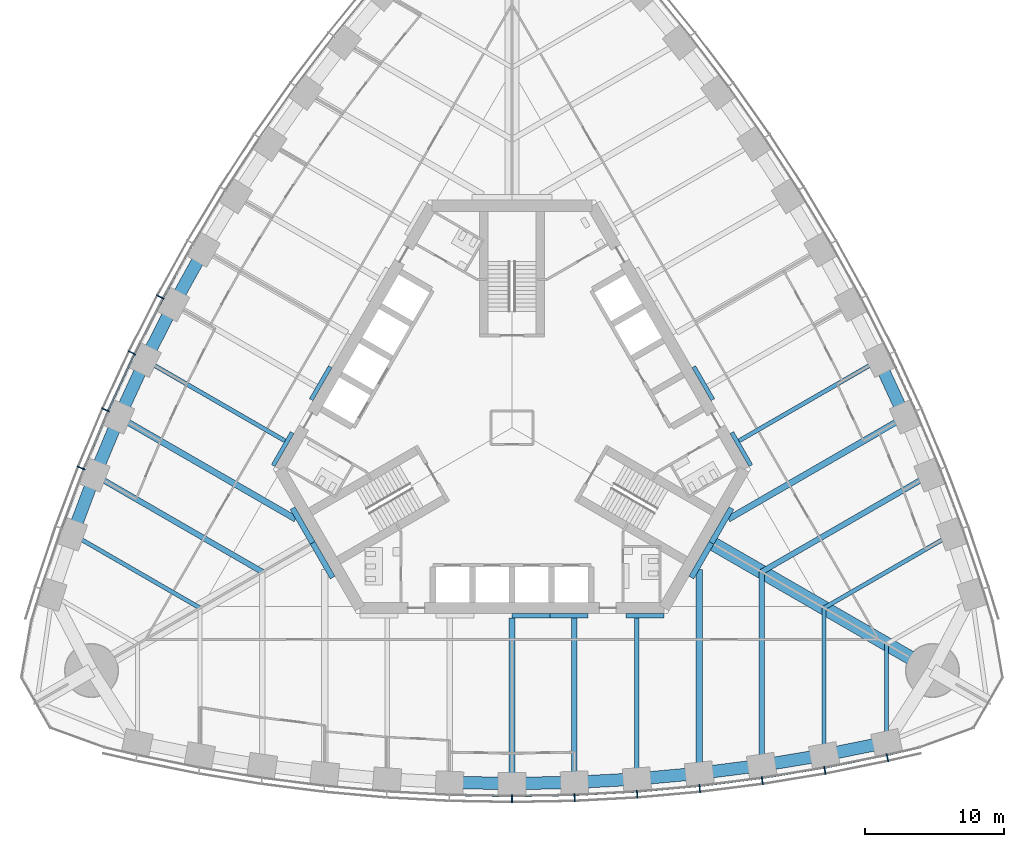
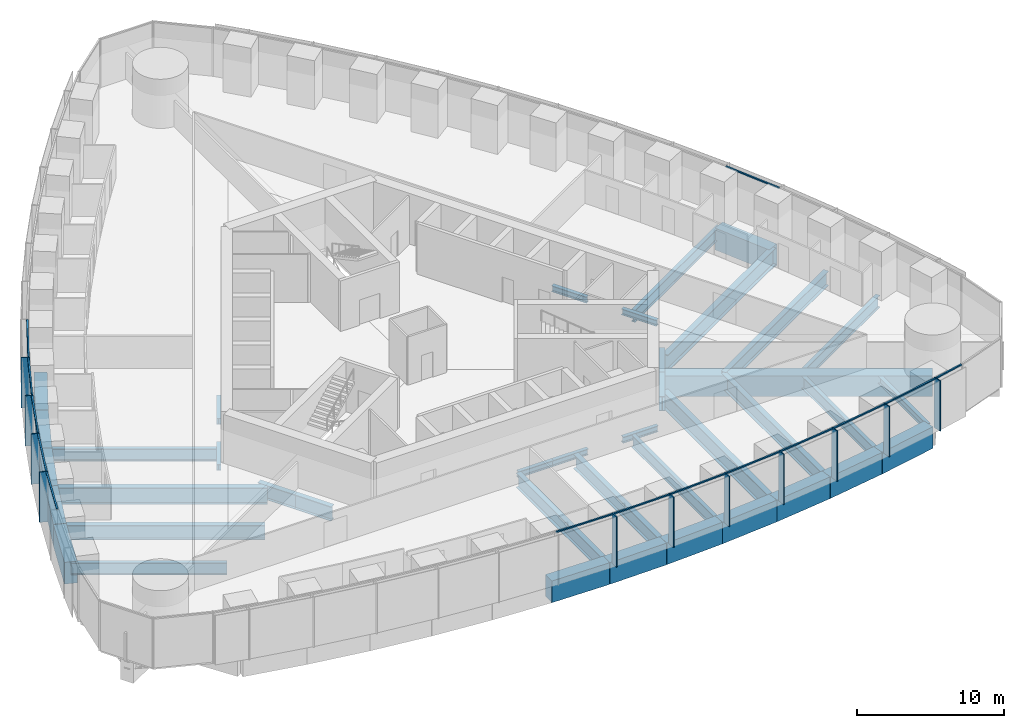
# One storey, part 3 of 18: 40 beams, 25 members, 3 elements without a shape of their own.
"""IFC4 building model written with IfcOpenShell, lengths in metres."""

from ifc_helpers import new_model, si_unit, direction, frame, origin, origin_2d, place, context, subcontext, project, spatial, rectangle, i_section, extrude, material, material_profile, profile_set, type_object, element, aggregate, save


model = new_model("IFC4")

# Units and contexts
model_context = context("Model", 3, precision=1e-05, world=origin(), true_north=direction((0.0, 1.0)))
body_context = subcontext(model_context, "Body", "Model", "MODEL_VIEW")
ifc_project = project(units=[si_unit("LENGTHUNIT", "METRE"), si_unit("AREAUNIT", "SQUARE_METRE"), si_unit("VOLUMEUNIT", "CUBIC_METRE"), si_unit("PLANEANGLEUNIT", "RADIAN"), si_unit("MASSUNIT", "GRAM", prefix="KILO")], contexts=[model_context])

# Site, building, storey
site_placement = place(None, origin())
site = spatial("IfcSite", under=ifc_project, at=site_placement, CompositionType="ELEMENT")
building_placement = place(site_placement, origin())
building = spatial("IfcBuilding", under=site, at=building_placement, Name="Trefoil Bronze Tower", CompositionType="ELEMENT")
storey_placement = place(building_placement, frame((0.0, 0.0, 161.89990234375)))
storey = spatial("IfcBuildingStorey", under=building, at=storey_placement, Name="L37", CompositionType="ELEMENT", Elevation=161.89990234375)

# Curtain wall, members
ifc_material_1 = material(Name="Tinted solar-control glass", Category="glass")
curtain_wall_type = type_object("IfcCurtainWallType", Name="Bronze office curtain wall", PredefinedType="USERDEFINED", material=ifc_material_1)
curtain_wall_1_placement = place(storey_placement, origin())
curtain_wall_1 = element("IfcCurtainWall", 1, at=curtain_wall_1_placement, inside=storey, type_object=curtain_wall_type, Name="CW-A L37 F1", ObjectType="CURTAIN WALL", PredefinedType="USERDEFINED")
ifc_material_2 = material(Name="Bronze-finish aluminium", Category="aluminium")
ifc_material_profile_1 = material_profile(ifc_material_2, rectangle(XDim=0.60009765625, YDim=0.080078125, at=origin_2d()), Name="CW-A mullion")
ifc_profile_set_1 = profile_set([ifc_material_profile_1], Name="Bronze-finish aluminium")
member_type_1 = type_object("IfcMemberType", Name="Bronze office curtain wall mullion", PredefinedType="MULLION", material=ifc_profile_set_1)
member_1_placement = place(storey_placement, frame((0.0, -26.749755859375, 0.0), z_axis=(0.0, 0.0, 1.0), x_axis=(0.0, 1.0, 0.0)))
member_1 = element("IfcMember", 2, at=member_1_placement, type_object=member_type_1, Name="CW-A L37 F1 mullion 8", PredefinedType="MULLION", context=body_context, shape_type="SweptSolid", body=[
    extrude(rectangle(XDim=0.60009765625, YDim=0.080078125, at=origin_2d()), origin(), (0.0, 0.0, 1.0), 4.18017578125),
])
member_2_placement = place(storey_placement, frame((4.5107421875, -26.66845703125, 0.0), z_axis=(0.0, 0.0, 1.0), x_axis=(-0.036047792107, 0.999350067136, 0.0)))
member_2 = element("IfcMember", 3, at=member_2_placement, type_object=member_type_1, Name="CW-A L37 F1 mullion 9", PredefinedType="MULLION", context=body_context, shape_type="SweptSolid", body=[
    extrude(rectangle(XDim=0.60009765625, YDim=0.080078125, at=origin_2d()), origin(), (0.0, 0.0, 1.0), 4.18017578125),
])
member_3_placement = place(storey_placement, frame((9.021728515625, -26.424072265625, 0.0), z_axis=(0.0, 0.0, 1.0), x_axis=(-0.072095676284, 0.997397720802, 0.0)))
member_3 = element("IfcMember", 4, at=member_3_placement, type_object=member_type_1, Name="CW-A L37 F1 mullion 10", PredefinedType="MULLION", context=body_context, shape_type="SweptSolid", body=[
    extrude(rectangle(XDim=0.60009765625, YDim=0.080078125, at=origin_2d()), origin(), (0.0, 0.0, 1.0), 4.18017578125),
])
member_4_placement = place(storey_placement, frame((13.532470703125, -26.01611328125, 0.0), z_axis=(0.0, 0.0, 1.0), x_axis=(-0.108143747013, 0.994135267447, 0.0)))
member_4 = element("IfcMember", 5, at=member_4_placement, type_object=member_type_1, Name="CW-A L37 F1 mullion 11", PredefinedType="MULLION", context=body_context, shape_type="SweptSolid", body=[
    extrude(rectangle(XDim=0.60009765625, YDim=0.080078125, at=origin_2d()), origin(), (0.0, 0.0, 1.0), 4.18017578125),
])
member_5_placement = place(storey_placement, frame((18.043212890625, -25.4423828125, 0.0), z_axis=(0.0, 0.0, 1.0), x_axis=(-0.144192103798, 0.989549714366, 0.0)))
member_5 = element("IfcMember", 6, at=member_5_placement, type_object=member_type_1, Name="CW-A L37 F1 mullion 12", PredefinedType="MULLION", context=body_context, shape_type="SweptSolid", body=[
    extrude(rectangle(XDim=0.60009765625, YDim=0.080078125, at=origin_2d()), origin(), (0.0, 0.0, 1.0), 4.18017578125),
])
member_6_placement = place(storey_placement, frame((22.553955078125, -24.700927734375, 0.0), z_axis=(0.0, 0.0, 1.0), x_axis=(-0.180240853954, 0.98362250613, 0.0)))
member_6 = element("IfcMember", 7, at=member_6_placement, type_object=member_type_1, Name="CW-A L37 F1 mullion 13", PredefinedType="MULLION", context=body_context, shape_type="SweptSolid", body=[
    extrude(rectangle(XDim=0.60009765625, YDim=0.080078125, at=origin_2d()), origin(), (0.0, 0.0, 1.0), 4.18017578125),
])
member_7_placement = place(storey_placement, frame((27.0634765625, -23.7890625, 0.0), z_axis=(0.0, 0.0, 1.0), x_axis=(-0.21197042503, 0.977276081214, 0.0)))
member_7 = element("IfcMember", 8, at=member_7_placement, type_object=member_type_1, Name="CW-A L37 F1 mullion 14", PredefinedType="MULLION", context=body_context, shape_type="SweptSolid", body=[
    extrude(rectangle(XDim=0.60009765625, YDim=0.080078125, at=origin_2d()), origin(), (0.0, 0.0, 1.0), 4.18017578125),
])

curtain_wall_2_placement = place(storey_placement, origin())
curtain_wall_2 = element("IfcCurtainWall", 9, at=curtain_wall_2_placement, inside=storey, type_object=curtain_wall_type, Name="CW-A L37 F3", ObjectType="CURTAIN WALL", PredefinedType="USERDEFINED")
member_8_placement = place(storey_placement, frame((-25.350830078125, 9.427734375, 0.0), z_axis=(0.0, 0.0, 1.0), x_axis=(0.883486441467, -0.468456729853, 0.0)))
member_8 = element("IfcMember", 10, at=member_8_placement, type_object=member_type_1, Name="CW-A L37 F3 mullion 9", PredefinedType="MULLION", context=body_context, shape_type="SweptSolid", body=[
    extrude(rectangle(XDim=0.60009765625, YDim=0.080078125, at=origin_2d()), origin(), (0.0, 0.0, 1.0), 4.18017578125),
])
member_9_placement = place(storey_placement, frame((-27.394775390625, 5.399169921875, 0.0), z_axis=(0.0, 0.0, 1.0), x_axis=(0.899819602033, -0.436262173236, 0.0)))
member_9 = element("IfcMember", 11, at=member_9_placement, type_object=member_type_1, Name="CW-A L37 F3 mullion 10", PredefinedType="MULLION", context=body_context, shape_type="SweptSolid", body=[
    extrude(rectangle(XDim=0.60009765625, YDim=0.080078125, at=origin_2d()), origin(), (0.0, 0.0, 1.0), 4.18017578125),
])
member_10_placement = place(storey_placement, frame((-29.296875, 1.28857421875, 0.0), z_axis=(0.0, 0.0, 1.0), x_axis=(0.915018269914, -0.40341240155, 0.0)))
member_10 = element("IfcMember", 12, at=member_10_placement, type_object=member_type_1, Name="CW-A L37 F3 mullion 11", PredefinedType="MULLION", context=body_context, shape_type="SweptSolid", body=[
    extrude(rectangle(XDim=0.60009765625, YDim=0.080078125, at=origin_2d()), origin(), (0.0, 0.0, 1.0), 4.18017578125),
])
member_11_placement = place(storey_placement, frame((-31.055419921875, -2.90478515625, 0.0), z_axis=(0.0, 0.0, 1.0), x_axis=(0.929071242848, -0.369900832269, 0.0)))
member_11 = element("IfcMember", 13, at=member_11_placement, type_object=member_type_1, Name="CW-A L37 F3 mullion 12", PredefinedType="MULLION", context=body_context, shape_type="SweptSolid", body=[
    extrude(rectangle(XDim=0.60009765625, YDim=0.080078125, at=origin_2d()), origin(), (0.0, 0.0, 1.0), 4.18017578125),
])

# Member
ifc_material_3 = material(Name="Bronze-finish aluminium", Category="aluminium")
ifc_material_profile_2 = material_profile(ifc_material_3, rectangle(XDim=0.1201171875, YDim=0.10009765625, at=origin_2d()), Name="CW-A transom")
ifc_profile_set_2 = profile_set([ifc_material_profile_2], Name="Bronze-finish aluminium")
member_type_2 = type_object("IfcMemberType", Name="Bronze office curtain wall transom", PredefinedType="USERDEFINED", material=ifc_profile_set_2)
member_12_placement = place(storey_placement, frame((-4.4619140625, -26.46923828125, 4.130126953125), z_axis=(0.999837930028, -0.018003157426, 0.0), x_axis=(0.018003157426, 0.999837930028, 0.0)))
member_12 = element("IfcMember", 14, at=member_12_placement, type_object=member_type_2, Name="CW-A L37 F1 transom 7", ObjectType="TRANSOM", PredefinedType="USERDEFINED", context=body_context, shape_type="SweptSolid", body=[
    extrude(rectangle(XDim=0.1201171875, YDim=0.10009765625, at=origin_2d()), origin(), (0.0, 0.0, 1.0), 4.4208984375),
])

member_13_placement = place(storey_placement, frame((0.041748046875, -26.548828125, 4.130126953125), z_axis=(0.999837930028, 0.018003157426, 0.0), x_axis=(-0.018003157426, 0.999837930028, 0.0)))
member_13 = element("IfcMember", 15, at=member_13_placement, type_object=member_type_2, Name="CW-A L37 F1 transom 8", ObjectType="TRANSOM", PredefinedType="USERDEFINED", context=body_context, shape_type="SweptSolid", body=[
    extrude(rectangle(XDim=0.1201171875, YDim=0.10009765625, at=origin_2d()), origin(), (0.0, 0.0, 1.0), 4.4208984375),
])

member_14_placement = place(storey_placement, frame((4.54541015625, -26.46630859375, 4.130126953125), z_axis=(0.998538253569, 0.054049571306, 0.0), x_axis=(-0.054049571306, 0.998538253569, 0.0)))
member_14 = element("IfcMember", 16, at=member_14_placement, type_object=member_type_2, Name="CW-A L37 F1 transom 9", ObjectType="TRANSOM", PredefinedType="USERDEFINED", context=body_context, shape_type="SweptSolid", body=[
    extrude(rectangle(XDim=0.1201171875, YDim=0.10009765625, at=origin_2d()), origin(), (0.0, 0.0, 1.0), 4.4267578125),
])

member_15_placement = place(storey_placement, frame((9.048828125, -26.220947265625, 4.130126953125), z_axis=(0.995932787062, 0.090099298863, 0.0), x_axis=(-0.090099298863, 0.995932787062, 0.0)))
member_15 = element("IfcMember", 17, at=member_15_placement, type_object=member_type_2, Name="CW-A L37 F1 transom 10", ObjectType="TRANSOM", PredefinedType="USERDEFINED", context=body_context, shape_type="SweptSolid", body=[
    extrude(rectangle(XDim=0.1201171875, YDim=0.10009765625, at=origin_2d()), origin(), (0.0, 0.0, 1.0), 4.4384765625),
])

member_16_placement = place(storey_placement, frame((13.55224609375, -25.81201171875, 4.130126953125), z_axis=(0.992008387848, 0.12617193998, 0.0), x_axis=(-0.12617193998, 0.992008387848, 0.0)))
member_16 = element("IfcMember", 18, at=member_16_placement, type_object=member_type_2, Name="CW-A L37 F1 transom 11", ObjectType="TRANSOM", PredefinedType="USERDEFINED", context=body_context, shape_type="SweptSolid", body=[
    extrude(rectangle(XDim=0.1201171875, YDim=0.10009765625, at=origin_2d()), origin(), (0.0, 0.0, 1.0), 4.456298828125),
])

member_17_placement = place(storey_placement, frame((18.0556640625, -25.23779296875, 4.130126953125), z_axis=(0.986755265284, 0.162216048636, 0.0), x_axis=(-0.162216048636, 0.986755265284, 0.0)))
member_17 = element("IfcMember", 19, at=member_17_placement, type_object=member_type_2, Name="CW-A L37 F1 transom 12", ObjectType="TRANSOM", PredefinedType="USERDEFINED", context=body_context, shape_type="SweptSolid", body=[
    extrude(rectangle(XDim=0.1201171875, YDim=0.10009765625, at=origin_2d()), origin(), (0.0, 0.0, 1.0), 4.48046875),
])

member_18_placement = place(storey_placement, frame((22.55908203125, -24.49609375, 4.130126953125), z_axis=(0.980153749225, 0.198238815273, 0.0), x_axis=(-0.198238815273, 0.980153749225, 0.0)))
member_18 = element("IfcMember", 20, at=member_18_placement, type_object=member_type_2, Name="CW-A L37 F1 transom 13", ObjectType="TRANSOM", PredefinedType="USERDEFINED", context=body_context, shape_type="SweptSolid", body=[
    extrude(rectangle(XDim=0.1201171875, YDim=0.10009765625, at=origin_2d()), origin(), (0.0, 0.0, 1.0), 4.51123046875),
])

member_19_placement = place(storey_placement, frame((27.0615234375, -23.584228515625, 4.130126953125), z_axis=(0.974206243495, 0.225659467196, 0.0), x_axis=(-0.225659467196, 0.974206243495, 0.0)))
member_19 = element("IfcMember", 21, at=member_19_placement, type_object=member_type_2, Name="CW-A L37 F1 transom 14", ObjectType="TRANSOM", PredefinedType="USERDEFINED", context=body_context, shape_type="SweptSolid", body=[
    extrude(rectangle(XDim=0.1201171875, YDim=0.10009765625, at=origin_2d()), origin(), (0.0, 0.0, 1.0), 2.340087890625),
])

aggregate(curtain_wall_1, [member_1, member_2, member_3, member_4, member_5, member_6, member_7, member_12, member_13, member_14, member_15, member_16, member_17, member_18, member_19])

# Curtain wall, member
curtain_wall_3_placement = place(storey_placement, origin())
curtain_wall_3 = element("IfcCurtainWall", 22, at=curtain_wall_3_placement, inside=storey, type_object=curtain_wall_type, Name="CW-A L37 F2", ObjectType="CURTAIN WALL", PredefinedType="USERDEFINED")
member_20_placement = place(storey_placement, frame((29.09619140625, 1.245849609375, 4.130126953125), z_axis=(-0.419923072198, 0.907559702409, 0.0), x_axis=(-0.907559702409, -0.419923072198, 0.0)))
member_20 = element("IfcMember", 23, at=member_20_placement, type_object=member_type_2, Name="CW-A L37 F2 transom 5", ObjectType="TRANSOM", PredefinedType="USERDEFINED", context=body_context, shape_type="SweptSolid", body=[
    extrude(rectangle(XDim=0.1201171875, YDim=0.10009765625, at=origin_2d()), origin(), (0.0, 0.0, 1.0), 4.4384765625),
])
aggregate(curtain_wall_3, [member_20])

# Member
member_21_placement = place(storey_placement, frame((-23.012939453125, 13.23828125, 4.130126953125), z_axis=(-0.484329470343, -0.874885686337, 0.0), x_axis=(0.874885686337, -0.484329470343, 0.0)))
member_21 = element("IfcMember", 24, at=member_21_placement, type_object=member_type_2, Name="CW-A L37 F3 transom 8", ObjectType="TRANSOM", PredefinedType="USERDEFINED", context=body_context, shape_type="SweptSolid", body=[
    extrude(rectangle(XDim=0.1201171875, YDim=0.10009765625, at=origin_2d()), origin(), (0.0, 0.0, 1.0), 4.4208984375),
])

member_22_placement = place(storey_placement, frame((-25.193115234375, 9.296630859375, 4.130126953125), z_axis=(-0.452478489814, -0.891775317138, 0.0), x_axis=(0.891775317138, -0.452478489814, 0.0)))
member_22 = element("IfcMember", 25, at=member_22_placement, type_object=member_type_2, Name="CW-A L37 F3 transom 9", ObjectType="TRANSOM", PredefinedType="USERDEFINED", context=body_context, shape_type="SweptSolid", body=[
    extrude(rectangle(XDim=0.1201171875, YDim=0.10009765625, at=origin_2d()), origin(), (0.0, 0.0, 1.0), 4.426513671875),
])

member_23_placement = place(storey_placement, frame((-27.232421875, 5.27392578125, 4.130126953125), z_axis=(-0.419923072198, -0.907559702409, 0.0), x_axis=(0.907559702409, -0.419923072198, 0.0)))
member_23 = element("IfcMember", 26, at=member_23_placement, type_object=member_type_2, Name="CW-A L37 F3 transom 10", ObjectType="TRANSOM", PredefinedType="USERDEFINED", context=body_context, shape_type="SweptSolid", body=[
    extrude(rectangle(XDim=0.1201171875, YDim=0.10009765625, at=origin_2d()), origin(), (0.0, 0.0, 1.0), 4.4384765625),
])

member_24_placement = place(storey_placement, frame((-29.1298828125, 1.16943359375, 4.130126953125), z_axis=(-0.386773266184, -0.922174842731, 0.0), x_axis=(0.922174842731, -0.386773266184, 0.0)))
member_24 = element("IfcMember", 27, at=member_24_placement, type_object=member_type_2, Name="CW-A L37 F3 transom 11", ObjectType="TRANSOM", PredefinedType="USERDEFINED", context=body_context, shape_type="SweptSolid", body=[
    extrude(rectangle(XDim=0.1201171875, YDim=0.10009765625, at=origin_2d()), origin(), (0.0, 0.0, 1.0), 4.45654296875),
])

member_25_placement = place(storey_placement, frame((-30.88427734375, -3.017822265625, 4.130126953125), z_axis=(-0.352932154759, -0.935648916067, 0.0), x_axis=(0.935648916067, -0.352932154759, 0.0)))
member_25 = element("IfcMember", 28, at=member_25_placement, type_object=member_type_2, Name="CW-A L37 F3 transom 12", ObjectType="TRANSOM", PredefinedType="USERDEFINED", context=body_context, shape_type="SweptSolid", body=[
    extrude(rectangle(XDim=0.1201171875, YDim=0.10009765625, at=origin_2d()), origin(), (0.0, 0.0, 1.0), 4.48046875),
])

aggregate(curtain_wall_2, [member_8, member_9, member_10, member_11, member_21, member_22, member_23, member_24, member_25])

# Beams
ifc_material_4 = material(Name="Steel C355", Category="steel")
ifc_material_profile_3 = material_profile(ifc_material_4, i_section(OverallWidth=0.300048828125, OverallDepth=0.5, WebThickness=0.014404296875, FlangeThickness=0.028076171875, FilletRadius=0.027099609375, at=origin_2d()), Name="HEB 500")
ifc_profile_set_3 = profile_set([ifc_material_profile_3], Name="Steel C355")
beam_type_1 = type_object("IfcBeamType", Name="Core seat beam HEB 500", PredefinedType="BEAM", material=ifc_profile_set_3)
for number, where, z_axis, x_axis, name in (
    (29, (0.0, -13.550048828125, -0.449951171875), (1.0, 0.0, 0.0), (0.0, 1.0, 0.0), "Core seat beam F1/+0 L37"),
    (30, (2.742431640625, -13.550048828125, -0.449951171875), (1.0, 0.0, 0.0), (0.0, 1.0, 0.0), "Core seat beam F1/+1 L37"),
    (31, (8.227294921875, -13.550048828125, -0.449951171875), (1.0, 0.0, 0.0), (0.0, 1.0, 0.0), "Core seat beam F1/+2 L37"),
    (32, (17.219482421875, -2.72509765625, -0.449951171875), (-0.500035825175, 0.866004719122, 0.0), (-0.866004719122, -0.500035825175, 0.0), "Core seat beam F2/-2 L37"),
    (33, (14.47705078125, 2.02490234375, -0.449951171875), (-0.499969057507, 0.866043267704, 0.0), (-0.866043267704, -0.499969057507, 0.0), "Core seat beam F2/-1 L37"),
    (34, (-13.10595703125, 4.39990234375, -0.449951171875), (-0.499969057507, -0.866043267704, 0.0), (0.866043267704, -0.499969057507, 0.0), "Core seat beam F3/+1 L37"),
    (35, (-15.84814453125, -0.35009765625, -0.449951171875), (-0.500035825175, -0.866004719122, 0.0), (0.866004719122, -0.500035825175, 0.0), "Core seat beam F3/+2 L37"),
):
    element("IfcBeam", number, at=place(storey_placement, frame(where, z_axis=z_axis, x_axis=x_axis)), inside=storey, type_object=beam_type_1, Name=name, PredefinedType="BEAM", context=body_context, shape_type="SweptSolid", body=[
        extrude(i_section(OverallWidth=0.300048828125, OverallDepth=0.5, WebThickness=0.014404296875, FlangeThickness=0.028076171875, FilletRadius=0.027099609375, at=origin_2d()), origin(), (0.0, 0.0, 1.0), 2.742431640625),
    ])
ifc_material_5 = material(Name="Steel C355", Category="steel")
ifc_material_profile_4 = material_profile(ifc_material_5, i_section(OverallWidth=0.39990234375, OverallDepth=1.199951171875, WebThickness=0.02001953125, FlangeThickness=0.0400390625, FilletRadius=0.010009765625, at=origin_2d()), Name="WPG 1200")
ifc_profile_set_4 = profile_set([ifc_material_profile_4], Name="Steel C355")
beam_type_2 = type_object("IfcBeamType", Name="Core seat beam WPG 1200", PredefinedType="BEAM", material=ifc_profile_set_4)
for number, where, z_axis, x_axis, name in (
    (36, (-14.3759765625, -8.300048828125, -0.7998046875), (0.499995765644, -0.866027848477, 0.0), (0.866027848477, 0.499995765644, 0.0), "Core seat beam F1/-3 L37"),
    (37, (12.9326171875, -10.800048828125, -0.7998046875), (0.499995765644, 0.866027848477, 0.0), (-0.866027848477, 0.499995765644, 0.0), "Core seat beam F1/+3 L37"),
    (38, (14.3759765625, -8.300048828125, -0.7998046875), (0.499995765644, 0.866027848477, 0.0), (-0.866027848477, 0.499995765644, 0.0), "Core seat beam F2/-3 L37"),
    (39, (-15.8193359375, -5.800048828125, -0.7998046875), (0.499995765644, -0.866027848477, 0.0), (0.866027848477, 0.499995765644, 0.0), "Core seat beam F3/+3 L37"),
):
    element("IfcBeam", number, at=place(storey_placement, frame(where, z_axis=z_axis, x_axis=x_axis)), inside=storey, type_object=beam_type_2, Name=name, PredefinedType="BEAM", context=body_context, shape_type="SweptSolid", body=[
        extrude(i_section(OverallWidth=0.39990234375, OverallDepth=1.199951171875, WebThickness=0.02001953125, FlangeThickness=0.0400390625, FilletRadius=0.010009765625, at=origin_2d()), origin(), (0.0, 0.0, 1.0), 2.88671875),
    ])
ifc_material_6 = material(Name="Concrete B80", Category="concrete")
ifc_material_profile_5 = material_profile(ifc_material_6, rectangle(XDim=1.0, YDim=1.699951171875, at=origin_2d()), Name="RC 1000x1700")
ifc_profile_set_5 = profile_set([ifc_material_profile_5], Name="Concrete B80")
beam_type_3 = type_object("IfcBeamType", Name="Corner girder RC 1000x1700", PredefinedType="BEAM", material=ifc_profile_set_5)
beam_1_placement = place(storey_placement, frame((14.202880859375, -8.199951171875, -1.0498046875), z_axis=(0.866022084834, -0.500005748546, 0.0), x_axis=(0.500005748546, 0.866022084834, 0.0)))
element("IfcBeam", 40, at=beam_1_placement, inside=storey, type_object=beam_type_3, Name="Corner girder K1 L37", PredefinedType="BEAM", context=body_context, shape_type="SweptSolid", body=[
    extrude(rectangle(XDim=1.0, YDim=1.699951171875, at=origin_2d()), origin(), (0.0, 0.0, 1.0), 18.599853515625),
])
ifc_material_7 = material(Name="Steel C355", Category="steel")
ifc_material_profile_6 = material_profile(ifc_material_7, i_section(OverallWidth=0.300048828125, OverallDepth=1.0, WebThickness=0.01904296875, FlangeThickness=0.035888671875, FilletRadius=0.030029296875, at=origin_2d()), Name="HEB 1000")
ifc_profile_set_6 = profile_set([ifc_material_profile_6], Name="Steel C355")
beam_type_4 = type_object("IfcBeamType", Name="Floor beam HEB 1000", PredefinedType="BEAM", material=ifc_profile_set_6)
beam_2_placement = place(storey_placement, frame((22.5, -23.592529296875, -0.699951171875), z_axis=(0.0, 1.0, 0.0), x_axis=(-1.0, 0.0, 0.0)))
element("IfcBeam", 41, at=beam_2_placement, inside=storey, type_object=beam_type_4, Name="Floor beam F1/+5 L37", PredefinedType="BEAM", context=body_context, shape_type="SweptSolid", body=[
    extrude(i_section(OverallWidth=0.300048828125, OverallDepth=1.0, WebThickness=0.01904296875, FlangeThickness=0.035888671875, FilletRadius=0.030029296875, at=origin_2d()), origin(), (0.0, 0.0, 1.0), 10.60205078125),
])
for number, where, z_axis, x_axis, name in (
    (42, (31.681884765625, -7.689208984375, -0.699951171875), (-0.866021079084, -0.500007490527, 0.0), (0.500007490527, -0.866021079084, 0.0), "Floor beam F2/-5 L37"),
    (43, (-31.681884765625, -7.689208984375, -0.699951171875), (0.866021079084, -0.500007490527, 0.0), (0.500007490527, 0.866021079084, 0.0), "Floor beam F3/+5 L37"),
):
    element("IfcBeam", number, at=place(storey_placement, frame(where, z_axis=z_axis, x_axis=x_axis)), inside=storey, type_object=beam_type_4, Name=name, PredefinedType="BEAM", context=body_context, shape_type="SweptSolid", body=[
        extrude(i_section(OverallWidth=0.300048828125, OverallDepth=1.0, WebThickness=0.01904296875, FlangeThickness=0.035888671875, FilletRadius=0.030029296875, at=origin_2d()), origin(), (0.0, 0.0, 1.0), 10.602294921875),
    ])
ifc_material_8 = material(Name="Steel C355", Category="steel")
ifc_material_profile_7 = material_profile(ifc_material_8, i_section(OverallWidth=0.300048828125, OverallDepth=0.60009765625, WebThickness=0.015380859375, FlangeThickness=0.030029296875, FilletRadius=0.027099609375, at=origin_2d()), Name="HEB 600")
ifc_profile_set_7 = profile_set([ifc_material_profile_7], Name="Steel C355")
beam_type_5 = type_object("IfcBeamType", Name="Floor beam HEB 600", PredefinedType="BEAM", material=ifc_profile_set_7)
beam_3_placement = place(storey_placement, frame((27.0, -22.67724609375, -0.5), z_axis=(0.0, 1.0, 0.0), x_axis=(-1.0, 0.0, 0.0)))
element("IfcBeam", 44, at=beam_3_placement, inside=storey, type_object=beam_type_5, Name="Floor beam F1/+6 L37", PredefinedType="BEAM", context=body_context, shape_type="SweptSolid", body=[
    extrude(i_section(OverallWidth=0.300048828125, OverallDepth=0.60009765625, WebThickness=0.015380859375, FlangeThickness=0.030029296875, FilletRadius=0.027099609375, at=origin_2d()), origin(), (0.0, 0.0, 1.0), 7.0888671875),
])
ifc_material_9 = material(Name="Steel C355", Category="steel")
ifc_material_profile_8 = material_profile(ifc_material_9, i_section(OverallWidth=0.302001953125, OverallDepth=1.008056640625, WebThickness=0.02099609375, FlangeThickness=0.0400390625, FilletRadius=0.030029296875, at=origin_2d()), Name="HEM 1000")
ifc_profile_set_8 = profile_set([ifc_material_profile_8], Name="Steel C355")
beam_type_6 = type_object("IfcBeamType", Name="Floor beam HEM 1000", PredefinedType="BEAM", material=ifc_profile_set_8)
for number, where, z_axis, x_axis, name in (
    (45, (9.0, -25.32275390625, -0.703857421875), (0.0, 1.0, 0.0), (-1.0, 0.0, 0.0), "Floor beam F1/+2 L37"),
    (46, (26.43017578125, 4.8671875, -0.703857421875), (-0.866021531335, -0.500006707218, 0.0), (0.500006707218, -0.866021531335, 0.0), "Floor beam F2/-2 L37"),
    (47, (-26.43017578125, 4.8671875, -0.703857421875), (0.866021531335, -0.500006707218, 0.0), (0.500006707218, 0.866021531335, 0.0), "Floor beam F3/+2 L37"),
):
    element("IfcBeam", number, at=place(storey_placement, frame(where, z_axis=z_axis, x_axis=x_axis)), inside=storey, type_object=beam_type_6, Name=name, PredefinedType="BEAM", context=body_context, shape_type="SweptSolid", body=[
        extrude(i_section(OverallWidth=0.302001953125, OverallDepth=1.008056640625, WebThickness=0.02099609375, FlangeThickness=0.0400390625, FilletRadius=0.030029296875, at=origin_2d()), origin(), (0.0, 0.0, 1.0), 11.622802734375),
    ])
ifc_material_10 = material(Name="Steel C355", Category="steel")
ifc_material_profile_9 = material_profile(ifc_material_10, i_section(OverallWidth=0.39990234375, OverallDepth=1.199951171875, WebThickness=0.02001953125, FlangeThickness=0.0400390625, FilletRadius=0.010009765625, at=origin_2d()), Name="WPG 1200")
ifc_profile_set_9 = profile_set([ifc_material_profile_9], Name="Steel C355")
beam_type_7 = type_object("IfcBeamType", Name="Floor beam WPG 1200", PredefinedType="BEAM", material=ifc_profile_set_9)
beam_4_placement = place(storey_placement, frame((0.0, -25.649658203125, -0.7998046875), z_axis=(0.0, 1.0, 0.0), x_axis=(-1.0, 0.0, 0.0)))
element("IfcBeam", 48, at=beam_4_placement, inside=storey, type_object=beam_type_7, Name="Floor beam F1/+0 L37", PredefinedType="BEAM", context=body_context, shape_type="SweptSolid", body=[
    extrude(i_section(OverallWidth=0.39990234375, OverallDepth=1.199951171875, WebThickness=0.02001953125, FlangeThickness=0.0400390625, FilletRadius=0.010009765625, at=origin_2d()), origin(), (0.0, 0.0, 1.0), 11.94970703125),
])
beam_5_placement = place(storey_placement, frame((4.5, -25.568115234375, -0.7998046875), z_axis=(0.0, 1.0, 0.0), x_axis=(-1.0, 0.0, 0.0)))
element("IfcBeam", 49, at=beam_5_placement, inside=storey, type_object=beam_type_7, Name="Floor beam F1/+1 L37", PredefinedType="BEAM", context=body_context, shape_type="SweptSolid", body=[
    extrude(i_section(OverallWidth=0.39990234375, OverallDepth=1.199951171875, WebThickness=0.02001953125, FlangeThickness=0.0400390625, FilletRadius=0.010009765625, at=origin_2d()), origin(), (0.0, 0.0, 1.0), 11.8681640625),
])
for number, where, z_axis, x_axis, name in (
    (50, (18.0, -24.337158203125, -0.7998046875), (0.0, 1.0, 0.0), (-1.0, 0.0, 0.0), "Floor beam F1/+4 L37"),
    (51, (30.07666015625, -3.419921875, -0.7998046875), (-0.866026983775, -0.499997263366, 0.0), (0.499997263366, -0.866026983775, 0.0), "Floor beam F2/-4 L37"),
    (52, (-30.07666015625, -3.419921875, -0.7998046875), (0.866026983775, -0.499997263366, 0.0), (0.499997263366, 0.866026983775, 0.0), "Floor beam F3/+4 L37"),
):
    element("IfcBeam", number, at=place(storey_placement, frame(where, z_axis=z_axis, x_axis=x_axis)), inside=storey, type_object=beam_type_7, Name=name, PredefinedType="BEAM", context=body_context, shape_type="SweptSolid", body=[
        extrude(i_section(OverallWidth=0.39990234375, OverallDepth=1.199951171875, WebThickness=0.02001953125, FlangeThickness=0.0400390625, FilletRadius=0.010009765625, at=origin_2d()), origin(), (0.0, 0.0, 1.0), 13.94482421875),
    ])
ifc_material_11 = material(Name="Steel C355", Category="steel")
ifc_material_profile_10 = material_profile(ifc_material_11, i_section(OverallWidth=0.449951171875, OverallDepth=1.39990234375, WebThickness=0.02294921875, FlangeThickness=0.044921875, FilletRadius=0.011962890625, at=origin_2d()), Name="WPG 1400")
ifc_profile_set_10 = profile_set([ifc_material_profile_10], Name="Steel C355")
beam_type_8 = type_object("IfcBeamType", Name="Floor beam WPG 1400", PredefinedType="BEAM", material=ifc_profile_set_10)
for number, where, z_axis, x_axis, name in (
    (53, (13.5, -24.9130859375, -0.89990234375), (0.0, 1.0, 0.0), (-1.0, 0.0, 0.0), "Floor beam F1/+3 L37"),
    (54, (28.325439453125, 0.76513671875, -0.89990234375), (-0.866027342682, -0.499996641717, 0.0), (0.499996641717, -0.866027342682, 0.0), "Floor beam F2/-3 L37"),
    (55, (-28.325439453125, 0.76513671875, -0.89990234375), (0.866027342682, -0.499996641717, 0.0), (0.499996641717, 0.866027342682, 0.0), "Floor beam F3/+3 L37"),
):
    element("IfcBeam", number, at=place(storey_placement, frame(where, z_axis=z_axis, x_axis=x_axis)), inside=storey, type_object=beam_type_8, Name=name, PredefinedType="BEAM", context=body_context, shape_type="SweptSolid", body=[
        extrude(i_section(OverallWidth=0.449951171875, OverallDepth=1.39990234375, WebThickness=0.02294921875, FlangeThickness=0.044921875, FilletRadius=0.011962890625, at=origin_2d()), origin(), (0.0, 0.0, 1.0), 14.69580078125),
    ])
ifc_material_12 = material(Name="Concrete B80", Category="concrete")
ifc_material_profile_11 = material_profile(ifc_material_12, rectangle(XDim=0.89990234375, YDim=1.800048828125, at=origin_2d()), Name="RC 900x1800")
ifc_profile_set_11 = profile_set([ifc_material_profile_11], Name="Concrete B80")
beam_type_9 = type_object("IfcBeamType", Name="Spandrel beam RC 900x1800", PredefinedType="SPANDREL", material=ifc_profile_set_11)
for number, where, z_axis, x_axis, name in (
    (56, (-4.5, -25.568115234375, -1.099853515625), (0.999835861267, -0.01811768542, 0.0), (0.01811768542, 0.999835861267, 0.0), "Spandrel F1.7 L37"),
    (57, (0.0, -25.649658203125, -1.099853515625), (0.999835861267, 0.01811768542, 0.0), (-0.01811768542, 0.999835861267, 0.0), "Spandrel F1.8 L37"),
):
    element("IfcBeam", number, at=place(storey_placement, frame(where, z_axis=z_axis, x_axis=x_axis)), inside=storey, type_object=beam_type_9, Name=name, PredefinedType="SPANDREL", context=body_context, shape_type="SweptSolid", body=[
        extrude(rectangle(XDim=0.89990234375, YDim=1.800048828125, at=origin_2d()), origin(), (0.0, 0.0, 1.0), 4.500732421875),
    ])
beam_6_placement = place(storey_placement, frame((4.5, -25.568115234375, -1.099853515625), z_axis=(0.998516832602, 0.054443870267, 0.0), x_axis=(-0.054443870267, 0.998516832602, 0.0)))
element("IfcBeam", 58, at=beam_6_placement, inside=storey, type_object=beam_type_9, Name="Spandrel F1.9 L37", PredefinedType="SPANDREL", context=body_context, shape_type="SweptSolid", body=[
    extrude(rectangle(XDim=0.89990234375, YDim=1.800048828125, at=origin_2d()), origin(), (0.0, 0.0, 1.0), 4.506591796875),
])
beam_7_placement = place(storey_placement, frame((9.0, -25.32275390625, -1.099853515625), z_axis=(0.995881683815, 0.090662405894, 0.0), x_axis=(-0.090662405894, 0.995881683815, 0.0)))
element("IfcBeam", 59, at=beam_7_placement, inside=storey, type_object=beam_type_9, Name="Spandrel F1.10 L37", PredefinedType="SPANDREL", context=body_context, shape_type="SweptSolid", body=[
    extrude(rectangle(XDim=0.89990234375, YDim=1.800048828125, at=origin_2d()), origin(), (0.0, 0.0, 1.0), 4.5185546875),
])
beam_8_placement = place(storey_placement, frame((13.5, -24.9130859375, -1.099853515625), z_axis=(0.991909314257, 0.126948463126, 0.0), x_axis=(-0.126948463126, 0.991909314257, 0.0)))
element("IfcBeam", 60, at=beam_8_placement, inside=storey, type_object=beam_type_9, Name="Spandrel F1.11 L37", PredefinedType="SPANDREL", context=body_context, shape_type="SweptSolid", body=[
    extrude(rectangle(XDim=0.89990234375, YDim=1.800048828125, at=origin_2d()), origin(), (0.0, 0.0, 1.0), 4.53662109375),
])
beam_9_placement = place(storey_placement, frame((18.0, -24.337158203125, -1.099853515625), z_axis=(0.986584214684, 0.163253138823, 0.0), x_axis=(-0.163253138823, 0.986584214684, 0.0)))
element("IfcBeam", 61, at=beam_9_placement, inside=storey, type_object=beam_type_9, Name="Spandrel F1.12 L37", PredefinedType="SPANDREL", context=body_context, shape_type="SweptSolid", body=[
    extrude(rectangle(XDim=0.89990234375, YDim=1.800048828125, at=origin_2d()), origin(), (0.0, 0.0, 1.0), 4.561279296875),
])
beam_10_placement = place(storey_placement, frame((22.5, -23.592529296875, -1.099853515625), z_axis=(0.979935430296, 0.199315208777, 0.0), x_axis=(-0.199315208777, 0.979935430296, 0.0)))
element("IfcBeam", 62, at=beam_10_placement, inside=storey, type_object=beam_type_9, Name="Spandrel F1.13 L37", PredefinedType="SPANDREL", context=body_context, shape_type="SweptSolid", body=[
    extrude(rectangle(XDim=0.89990234375, YDim=1.800048828125, at=origin_2d()), origin(), (0.0, 0.0, 1.0), 4.592041015625),
])
beam_11_placement = place(storey_placement, frame((28.325439453125, 0.76513671875, -1.099853515625), z_axis=(-0.419424747755, 0.907790108434, 0.0), x_axis=(-0.907790108434, -0.419424747755, 0.0)))
element("IfcBeam", 63, at=beam_11_placement, inside=storey, type_object=beam_type_9, Name="Spandrel F2.5 L37", PredefinedType="SPANDREL", context=body_context, shape_type="SweptSolid", body=[
    extrude(rectangle(XDim=0.89990234375, YDim=1.800048828125, at=origin_2d()), origin(), (0.0, 0.0, 1.0), 4.518798828125),
])
beam_12_placement = place(storey_placement, frame((-22.21337890625, 12.824951171875, -1.099853515625), z_axis=(-0.484186866546, -0.874964615436, 0.0), x_axis=(0.874964615436, -0.484186866546, 0.0)))
element("IfcBeam", 64, at=beam_12_placement, inside=storey, type_object=beam_type_9, Name="Spandrel F3.8 L37", PredefinedType="SPANDREL", context=body_context, shape_type="SweptSolid", body=[
    extrude(rectangle(XDim=0.89990234375, YDim=1.800048828125, at=origin_2d()), origin(), (0.0, 0.0, 1.0), 4.500732421875),
])
beam_13_placement = place(storey_placement, frame((-24.392578125, 8.886962890625, -1.099853515625), z_axis=(-0.452125717735, -0.891954222683, 0.0), x_axis=(0.891954222683, -0.452125717735, 0.0)))
element("IfcBeam", 65, at=beam_13_placement, inside=storey, type_object=beam_type_9, Name="Spandrel F3.9 L37", PredefinedType="SPANDREL", context=body_context, shape_type="SweptSolid", body=[
    extrude(rectangle(XDim=0.89990234375, YDim=1.800048828125, at=origin_2d()), origin(), (0.0, 0.0, 1.0), 4.506591796875),
])
beam_14_placement = place(storey_placement, frame((-26.43017578125, 4.8671875, -1.099853515625), z_axis=(-0.419424747755, -0.907790108434, 0.0), x_axis=(0.907790108434, -0.419424747755, 0.0)))
element("IfcBeam", 66, at=beam_14_placement, inside=storey, type_object=beam_type_9, Name="Spandrel F3.10 L37", PredefinedType="SPANDREL", context=body_context, shape_type="SweptSolid", body=[
    extrude(rectangle(XDim=0.89990234375, YDim=1.800048828125, at=origin_2d()), origin(), (0.0, 0.0, 1.0), 4.518798828125),
])
beam_15_placement = place(storey_placement, frame((-28.325439453125, 0.76513671875, -1.099853515625), z_axis=(-0.386013490858, -0.922493135408, 0.0), x_axis=(0.922493135408, -0.386013490858, 0.0)))
element("IfcBeam", 67, at=beam_15_placement, inside=storey, type_object=beam_type_9, Name="Spandrel F3.11 L37", PredefinedType="SPANDREL", context=body_context, shape_type="SweptSolid", body=[
    extrude(rectangle(XDim=0.89990234375, YDim=1.800048828125, at=origin_2d()), origin(), (0.0, 0.0, 1.0), 4.53662109375),
])
beam_16_placement = place(storey_placement, frame((-30.07666015625, -3.419921875, -1.099853515625), z_axis=(-0.351938675523, -0.936023059904, 0.0), x_axis=(0.936023059904, -0.351938675523, 0.0)))
element("IfcBeam", 68, at=beam_16_placement, inside=storey, type_object=beam_type_9, Name="Spandrel F3.12 L37", PredefinedType="SPANDREL", context=body_context, shape_type="SweptSolid", body=[
    extrude(rectangle(XDim=0.89990234375, YDim=1.800048828125, at=origin_2d()), origin(), (0.0, 0.0, 1.0), 4.56103515625),
])

save(model, "model.ifc")
